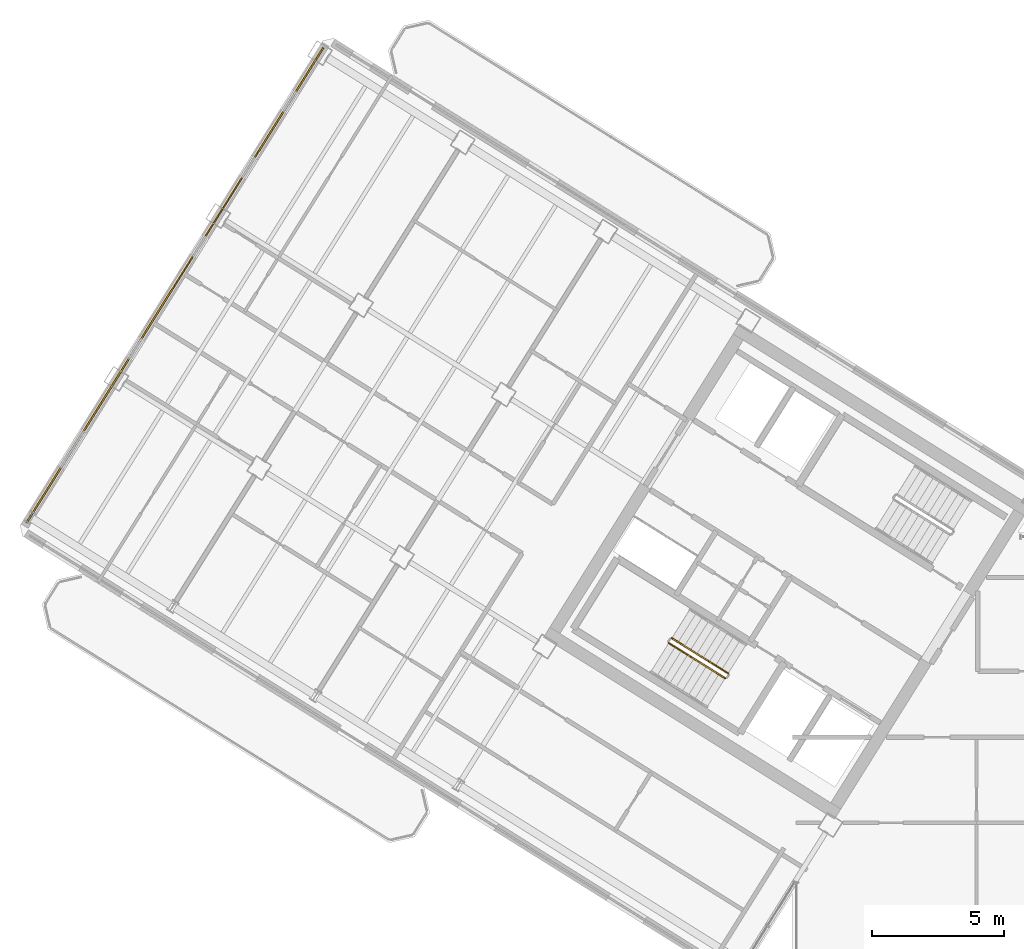
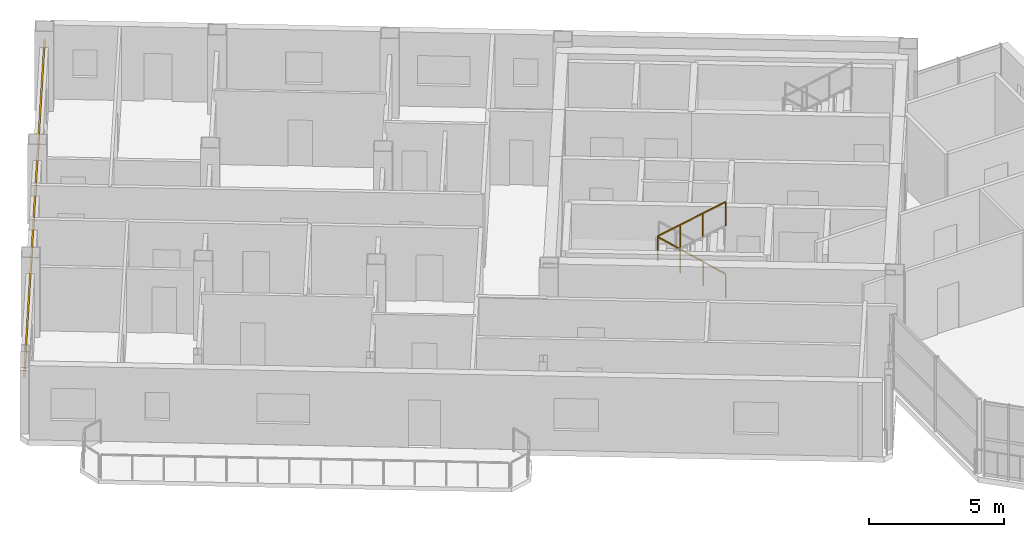
# One storey, part 14 of 17: 2 railings, 1 covering.
"""IFC4 building model written with IfcOpenShell, lengths in metres."""

from ifc_helpers import new_model, si_unit, direction, frame, origin, origin_2d, place, context, subcontext, project, spatial, rectangle, extrude, source, transform, mapped, material, layer, layer_set, type_object, element, save


model = new_model("IFC4")

# Units and contexts
model_context = context("Model", 3, precision=1e-05, world=origin(), true_north=direction((0.0, 1.0)))
body_context = subcontext(model_context, "Body", "Model", "MODEL_VIEW")
ifc_project = project(units=[si_unit("LENGTHUNIT", "METRE"), si_unit("AREAUNIT", "SQUARE_METRE"), si_unit("VOLUMEUNIT", "CUBIC_METRE"), si_unit("PLANEANGLEUNIT", "RADIAN"), si_unit("MASSUNIT", "GRAM", prefix="KILO")], contexts=[model_context])

# Site, building, storey
site_placement = place(None, origin())
site = spatial("IfcSite", under=ifc_project, at=site_placement, CompositionType="ELEMENT")
building_placement = place(site_placement, origin())
building = spatial("IfcBuilding", under=site, at=building_placement, Name="Tlacorven Tower", CompositionType="ELEMENT")
storey_placement = place(building_placement, frame((0.0, 0.0, 270.0)))
storey = spatial("IfcBuildingStorey", under=building, at=storey_placement, Name="L68", CompositionType="ELEMENT", Elevation=270.0)

# Covering
ifc_material_1 = material(Name="Precast concrete C45/55", Category="concrete")
ifc_layer = layer(ifc_material_1, 0.06005859375)
ifc_layer_set = layer_set([ifc_layer], Name="Precast concrete C45/55")
covering_type = type_object("IfcCoveringType", Name="CV-CLD-TERC", PredefinedType="CLADDING", material=ifc_layer_set)
shared_shape_1 = source(origin(), body_context, "Body", "SweptSolid", [
    extrude(rectangle(XDim=21.287353515625, YDim=0.06005859375, at=origin_2d()), origin(), (0.0, 0.0, 1.0), 0.419921875),
])
covering_placement = place(storey_placement, frame((8.13427734375, 32.606201171875, 2.455078125), z_axis=(0.0, 0.0, 1.0), x_axis=(0.529918940959, 0.84804829816, 0.0)))
element("IfcCovering", 1, at=covering_placement, inside=storey, type_object=covering_type, Name="L68 Masonry-Frame Spandrel Cladding 3", PredefinedType="CLADDING", context=body_context, shape_type="MappedRepresentation", body=[
    mapped(shared_shape_1, transform((0.0, 0.0, 0.0), scale=1.0)),
])

# Railings
ifc_material_2 = material(Name="Aluminium and painted steel balustrade", Category="steel")
railing_type = type_object("IfcRailingType", Name="RL-GRD-1100", PredefinedType="GUARDRAIL", material=ifc_material_2)
shared_shape_2 = source(origin(), body_context, "Body", "SweptSolid", [
    extrude(rectangle(XDim=0.048095703125, YDim=0.048095703125, at=origin_2d()), frame((0.0, 0.0, 1.076171875), z_axis=(-0.713319727316, 0.445773895627, 0.540796265334), x_axis=(-0.529955395941, -0.84802551749, 0.0)), (0.0, 0.0, 1.0), 2.995849609375),
    extrude(rectangle(XDim=0.0419921875, YDim=0.0419921875, at=origin_2d()), origin(), (0.0, 0.0, 1.0), 1.052001953125),
    extrude(rectangle(XDim=0.0419921875, YDim=0.0419921875, at=origin_2d()), frame((-0.71240234375, 0.445068359375, 0.5400390625)), (0.0, 0.0, 1.0), 1.052001953125),
    extrude(rectangle(XDim=0.0419921875, YDim=0.0419921875, at=origin_2d()), frame((-1.424560546875, 0.890380859375, 1.080078125)), (0.0, 0.0, 1.0), 1.052001953125),
    extrude(rectangle(XDim=0.0419921875, YDim=0.0419921875, at=origin_2d()), frame((-2.136962890625, 1.33544921875, 1.6201171875)), (0.0, 0.0, 1.0), 1.052001953125),
])
railing_1_placement = place(storey_placement, frame((29.16064453125, 17.851806640625, 0.179931640625)))
element("IfcRailing", 2, at=railing_1_placement, inside=storey, type_object=railing_type, Name="L68 ST-W1 stair guard 1", PredefinedType="GUARDRAIL", context=body_context, shape_type="MappedRepresentation", body=[
    mapped(shared_shape_2, transform((0.0, 0.0, 0.0), scale=1.0)),
])
shared_shape_3 = source(origin(), body_context, "Body", "SweptSolid", [
    extrude(rectangle(XDim=0.048095703125, YDim=0.048095703125, at=origin_2d()), frame((0.0, 0.0, 1.076171875), z_axis=(0.713359751793, -0.4457479829, 0.540764828981), x_axis=(0.529911857636, 0.848052724267, 0.0)), (0.0, 0.0, 1.0), 2.99609375),
    extrude(rectangle(XDim=0.0419921875, YDim=0.0419921875, at=origin_2d()), origin(), (0.0, 0.0, 1.0), 1.052001953125),
    extrude(rectangle(XDim=0.0419921875, YDim=0.0419921875, at=origin_2d()), frame((0.71240234375, -0.445068359375, 0.5400390625)), (0.0, 0.0, 1.0), 1.052001953125),
    extrude(rectangle(XDim=0.0419921875, YDim=0.0419921875, at=origin_2d()), frame((1.4248046875, -0.890380859375, 1.080078125)), (0.0, 0.0, 1.0), 1.052001953125),
    extrude(rectangle(XDim=0.0419921875, YDim=0.0419921875, at=origin_2d()), frame((2.13720703125, -1.33544921875, 1.6201171875)), (0.0, 0.0, 1.0), 1.052001953125),
])
railing_2_placement = place(storey_placement, frame((26.906982421875, 19.000732421875, 1.97998046875)))
element("IfcRailing", 3, at=railing_2_placement, inside=storey, type_object=railing_type, Name="L68 ST-W1 stair guard 3", PredefinedType="GUARDRAIL", context=body_context, shape_type="MappedRepresentation", body=[
    mapped(shared_shape_3, transform((0.0, 0.0, 0.0), scale=1.0)),
])

save(model, "model.ifc")
